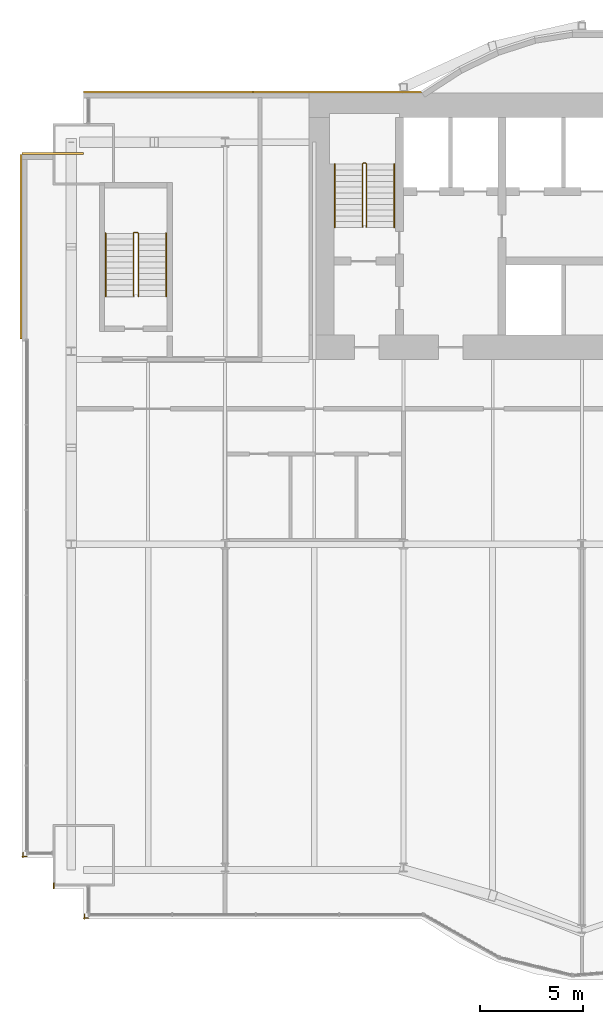
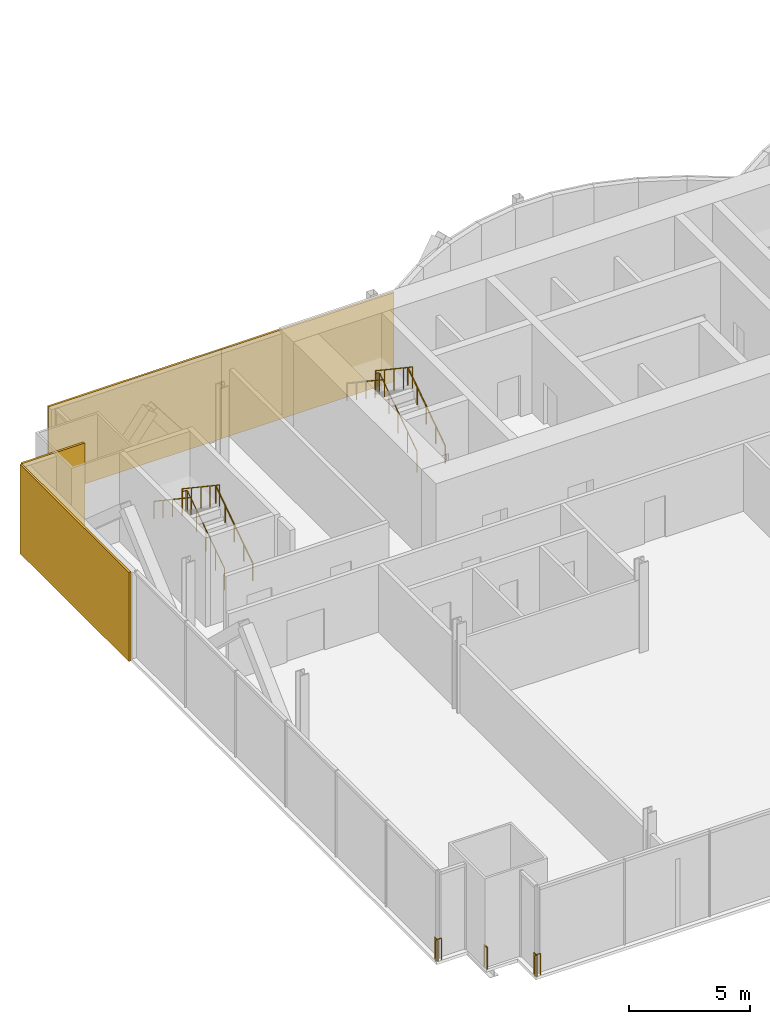
# One storey, part 19 of 21: 9 railings, 4 coverings.
"""IFC4 building model written with IfcOpenShell, lengths in metres."""

from ifc_helpers import new_model, si_unit, direction, frame, origin, origin_2d, place, context, subcontext, project, spatial, rectangle, circle, extrude, material, layer, layer_set, type_object, element, save


model = new_model("IFC4")

# Units and contexts
model_context = context("Model", 3, precision=1e-05, world=origin(), true_north=direction((0.0, 1.0)))
body_context = subcontext(model_context, "Body", "Model", "MODEL_VIEW")
ifc_project = project(units=[si_unit("LENGTHUNIT", "METRE"), si_unit("AREAUNIT", "SQUARE_METRE"), si_unit("VOLUMEUNIT", "CUBIC_METRE"), si_unit("PLANEANGLEUNIT", "RADIAN"), si_unit("MASSUNIT", "GRAM", prefix="KILO")], contexts=[model_context])

# Site, building, storey
site_placement = place(None, origin())
site = spatial("IfcSite", under=ifc_project, at=site_placement, CompositionType="ELEMENT")
building_placement = place(site_placement, origin())
building = spatial("IfcBuilding", under=site, at=building_placement, Name="Bicima Exchange Tower", CompositionType="ELEMENT")
storey_placement = place(building_placement, frame((0.0, 0.0, 66.5)))
storey = spatial("IfcBuildingStorey", under=building, at=storey_placement, Name="L13", CompositionType="ELEMENT", Elevation=66.5)

# Coverings
ifc_material_1 = material(Name="Bronze metal cladding")
ifc_layer_1 = layer(ifc_material_1, 0.004)
ifc_material_2 = material(Name="Ventilated cavity")
ifc_layer_2 = layer(ifc_material_2, 0.06)
ifc_material_3 = material(Name="Galvanised steel rail and mineral wool", Category="steel")
ifc_layer_3 = layer(ifc_material_3, 0.036)
ifc_layer_set = layer_set([ifc_layer_1, ifc_layer_2, ifc_layer_3], Name="Ventilated cavity")
covering_type = type_object("IfcCoveringType", Name="Bronze metal cladding panel 100", PredefinedType="CLADDING", material=ifc_layer_set)
for number, where, z_axis, x_axis, name in (
    (1, (-20.625, 0.050048828125, -0.14990234375), (0.0, 0.0, 1.0), (-1.0, 0.0, 0.0), "Bronze cladding L13 20.1"),
    (2, (-28.875, 0.050048828125, -0.14990234375), (0.0, 0.0, 1.0), (-1.0, 0.0, 0.0), "Bronze cladding L13 20.2"),
):
    element("IfcCovering", number, at=place(storey_placement, frame(where, z_axis=z_axis, x_axis=x_axis)), inside=storey, type_object=covering_type, Name=name, PredefinedType="CLADDING", context=body_context, shape_type="SweptSolid", body=[
        extrude(rectangle(XDim=8.25, YDim=0.10009765625, at=origin_2d()), origin(), (0.0, 0.0, 1.0), 4.5),
    ])
covering_1_placement = place(storey_placement, frame((-34.5, -2.949951171875, -0.14990234375), z_axis=(0.0, 0.0, 1.0), x_axis=(-1.0, 0.0, 0.0)))
element("IfcCovering", 3, at=covering_1_placement, inside=storey, type_object=covering_type, Name="Bronze cladding L13 22.1", PredefinedType="CLADDING", context=body_context, shape_type="SweptSolid", body=[
    extrude(rectangle(XDim=3.0, YDim=0.10009765625, at=origin_2d()), origin(), (0.0, 0.0, 1.0), 4.5),
])
covering_2_placement = place(storey_placement, frame((-36.050048828125, -7.5, -0.14990234375), z_axis=(0.0, 0.0, 1.0), x_axis=(0.0, -1.0, 0.0)))
element("IfcCovering", 4, at=covering_2_placement, inside=storey, type_object=covering_type, Name="Bronze cladding L13 23.1", PredefinedType="CLADDING", context=body_context, shape_type="SweptSolid", body=[
    extrude(rectangle(XDim=9.0, YDim=0.10009765625, at=origin_2d()), origin(), (0.0, 0.0, 1.0), 4.5),
])

# Railings
ifc_material_4 = material(Name="Stainless steel and bonded safety glass", Category="steel")
railing_type_1 = type_object("IfcRailingType", Name="Edge guard 1100", PredefinedType="GUARDRAIL", material=ifc_material_4)
railing_1_placement = place(storey_placement, frame((-35.75, -37.241943359375, 0.0)))
element("IfcRailing", 5, at=railing_1_placement, inside=storey, type_object=railing_type_1, Name="Edge guard L13 57", PredefinedType="GUARDRAIL", context=body_context, shape_type="SweptSolid", body=[
    extrude(circle(Radius=0.02392578125, at=origin_2d()), frame((0.0, 0.0, 1.076171875), z_axis=(-1.0, 0.0, 0.0), x_axis=(0.0, -1.0, 0.0)), (0.0, 0.0, 1.0), 0.25),
    extrude(circle(Radius=0.02392578125, at=origin_2d()), frame((-0.25, 0.0, 1.076171875), z_axis=(0.707106781187, -0.707106781187, 0.0), x_axis=(0.707106781187, 0.707106781187, 0.0)), (0.0, 0.0, 1.0), 0.07080078125),
    extrude(circle(Radius=0.02392578125, at=origin_2d()), frame((-0.199951171875, -0.050048828125, 1.076171875), z_axis=(0.0, 1.0, 0.0), x_axis=(-1.0, 0.0, 0.0)), (0.0, 0.0, 1.0), 0.248046875),
    extrude(circle(Radius=0.02099609375, at=origin_2d()), origin(), (0.0, 0.0, 1.0), 1.052001953125),
    extrude(circle(Radius=0.02099609375, at=origin_2d()), frame((-0.25, 0.0, 0.0)), (0.0, 0.0, 1.0), 1.052001953125),
    extrude(circle(Radius=0.02099609375, at=origin_2d()), frame((-0.199951171875, -0.050048828125, 0.0)), (0.0, 0.0, 1.0), 1.052001953125),
    extrude(circle(Radius=0.02099609375, at=origin_2d()), frame((-0.199951171875, 0.197998046875, 0.0)), (0.0, 0.0, 1.0), 1.052001953125),
])
railing_2_placement = place(storey_placement, frame((-32.75, -40.241943359375, 0.0)))
element("IfcRailing", 6, at=railing_2_placement, inside=storey, type_object=railing_type_1, Name="Edge guard L13 61", PredefinedType="GUARDRAIL", context=body_context, shape_type="SweptSolid", body=[
    extrude(circle(Radius=0.02392578125, at=origin_2d()), frame((0.0, 0.0, 1.076171875), z_axis=(-1.0, 0.0, 0.0), x_axis=(0.0, -1.0, 0.0)), (0.0, 0.0, 1.0), 0.25),
    extrude(circle(Radius=0.02392578125, at=origin_2d()), frame((-0.25, 0.0, 1.076171875), z_axis=(0.707106781187, -0.707106781187, 0.0), x_axis=(0.707106781187, 0.707106781187, 0.0)), (0.0, 0.0, 1.0), 0.07080078125),
    extrude(circle(Radius=0.02392578125, at=origin_2d()), frame((-0.199951171875, -0.050048828125, 1.076171875), z_axis=(0.0, 1.0, 0.0), x_axis=(-1.0, 0.0, 0.0)), (0.0, 0.0, 1.0), 0.25),
    extrude(circle(Radius=0.02099609375, at=origin_2d()), origin(), (0.0, 0.0, 1.0), 1.052001953125),
    extrude(circle(Radius=0.02099609375, at=origin_2d()), frame((-0.25, 0.0, 0.0)), (0.0, 0.0, 1.0), 1.052001953125),
    extrude(circle(Radius=0.02099609375, at=origin_2d()), frame((-0.199951171875, -0.050048828125, 0.0)), (0.0, 0.0, 1.0), 1.052001953125),
    extrude(circle(Radius=0.02099609375, at=origin_2d()), frame((-0.199951171875, 0.199951171875, 0.0)), (0.0, 0.0, 1.0), 1.052001953125),
])
railing_3_placement = place(storey_placement, frame((-34.449951171875, -38.7919921875, 0.0)))
element("IfcRailing", 7, at=railing_3_placement, inside=storey, type_object=railing_type_1, Name="Edge guard L13 62", PredefinedType="GUARDRAIL", context=body_context, shape_type="SweptSolid", body=[
    extrude(circle(Radius=0.02392578125, at=origin_2d()), frame((0.0, 0.0, 1.076171875), z_axis=(0.0, 1.0, 0.0), x_axis=(-1.0, 0.0, 0.0)), (0.0, 0.0, 1.0), 0.25),
    extrude(circle(Radius=0.02099609375, at=origin_2d()), origin(), (0.0, 0.0, 1.0), 1.052001953125),
    extrude(circle(Radius=0.02099609375, at=origin_2d()), frame((0.0, 0.25, 0.0)), (0.0, 0.0, 1.0), 1.052001953125),
])
ifc_material_5 = material(Name="Stainless steel", Category="steel")
railing_type_2 = type_object("IfcRailingType", Name="Stair guard 1100", PredefinedType="GUARDRAIL", material=ifc_material_5)
railing_4_placement = place(storey_placement, frame((-19.199951171875, -6.550048828125, 0.1875)))
element("IfcRailing", 8, at=railing_4_placement, inside=storey, type_object=railing_type_2, Name="L13 ST-W stair guard 1", PredefinedType="GUARDRAIL", context=body_context, shape_type="SweptSolid", body=[
    extrude(circle(Radius=0.02392578125, at=origin_2d()), frame((0.0, 0.0, 1.076171875), z_axis=(0.0, 0.830913701846, 0.55640131208), x_axis=(-1.0, 0.0, 0.0)), (0.0, 0.0, 1.0), 3.706787109375),
    extrude(circle(Radius=0.02392578125, at=origin_2d()), frame((0.0, 3.080078125, 3.138671875), z_axis=(-0.707106781187, 0.707106781187, 0.0), x_axis=(-0.707106781187, -0.707106781187, 0.0)), (0.0, 0.0, 1.0), 0.07080078125),
    extrude(circle(Radius=0.02392578125, at=origin_2d()), frame((-0.050048828125, 3.130126953125, 3.138671875), z_axis=(-1.0, 0.0, 0.0), x_axis=(0.0, -1.0, 0.0)), (0.0, 0.0, 1.0), 0.10009765625),
    extrude(circle(Radius=0.02392578125, at=origin_2d()), frame((-0.150146484375, 3.130126953125, 3.138671875), z_axis=(-0.248583702486, -0.249802250048, 0.935844527007), x_axis=(0.708833529934, -0.705375805398, 0.0)), (0.0, 0.0, 1.0), 0.200439453125),
    extrude(circle(Radius=0.02392578125, at=origin_2d()), frame((-0.199951171875, 3.080078125, 3.326171875), z_axis=(0.0, -0.830913701846, 0.55640131208), x_axis=(1.0, 0.0, 0.0)), (0.0, 0.0, 1.0), 3.706787109375),
    extrude(circle(Radius=0.02099609375, at=origin_2d()), origin(), (0.0, 0.0, 1.0), 1.052001953125),
    extrude(circle(Radius=0.02099609375, at=origin_2d()), frame((0.0, 0.77001953125, 0.515625)), (0.0, 0.0, 1.0), 1.052001953125),
    extrude(circle(Radius=0.02099609375, at=origin_2d()), frame((0.0, 1.5400390625, 1.03125)), (0.0, 0.0, 1.0), 1.052001953125),
    extrude(circle(Radius=0.02099609375, at=origin_2d()), frame((0.0, 2.31005859375, 1.546875)), (0.0, 0.0, 1.0), 1.052001953125),
    extrude(circle(Radius=0.02099609375, at=origin_2d()), frame((0.0, 3.080078125, 2.0625)), (0.0, 0.0, 1.0), 1.052001953125),
    extrude(circle(Radius=0.02099609375, at=origin_2d()), frame((-0.050048828125, 3.130126953125, 2.0625)), (0.0, 0.0, 1.0), 1.052001953125),
    extrude(circle(Radius=0.02099609375, at=origin_2d()), frame((-0.150146484375, 3.130126953125, 2.0625)), (0.0, 0.0, 1.0), 1.052001953125),
    extrude(circle(Radius=0.02099609375, at=origin_2d()), frame((-0.199951171875, 3.080078125, 2.25)), (0.0, 0.0, 1.0), 1.052001953125),
    extrude(circle(Radius=0.02099609375, at=origin_2d()), frame((-0.199951171875, 2.31005859375, 2.765625)), (0.0, 0.0, 1.0), 1.052001953125),
    extrude(circle(Radius=0.02099609375, at=origin_2d()), frame((-0.199951171875, 1.5400390625, 3.28125)), (0.0, 0.0, 1.0), 1.052001953125),
    extrude(circle(Radius=0.02099609375, at=origin_2d()), frame((-0.199951171875, 0.77001953125, 3.796875)), (0.0, 0.0, 1.0), 1.052001953125),
    extrude(circle(Radius=0.02099609375, at=origin_2d()), frame((-0.199951171875, 0.0, 4.3125)), (0.0, 0.0, 1.0), 1.052001953125),
])
railing_5_placement = place(storey_placement, frame((-30.324951171875, -9.925048828125, 0.1875)))
element("IfcRailing", 9, at=railing_5_placement, inside=storey, type_object=railing_type_2, Name="L13 ST-WW stair guard 1", PredefinedType="GUARDRAIL", context=body_context, shape_type="SweptSolid", body=[
    extrude(circle(Radius=0.02392578125, at=origin_2d()), frame((0.0, 0.0, 1.076171875), z_axis=(0.0, 0.830913701846, 0.55640131208), x_axis=(-1.0, 0.0, 0.0)), (0.0, 0.0, 1.0), 3.706787109375),
    extrude(circle(Radius=0.02392578125, at=origin_2d()), frame((0.0, 3.080078125, 3.138671875), z_axis=(-0.707106781187, 0.707106781187, 0.0), x_axis=(-0.707106781187, -0.707106781187, 0.0)), (0.0, 0.0, 1.0), 0.07080078125),
    extrude(circle(Radius=0.02392578125, at=origin_2d()), frame((-0.050048828125, 3.130126953125, 3.138671875), z_axis=(-1.0, 0.0, 0.0), x_axis=(0.0, -1.0, 0.0)), (0.0, 0.0, 1.0), 0.14990234375),
    extrude(circle(Radius=0.02392578125, at=origin_2d()), frame((-0.199951171875, 3.130126953125, 3.138671875), z_axis=(-0.249726431254, -0.249726431254, 0.935560483917), x_axis=(0.707106781187, -0.707106781187, 0.0)), (0.0, 0.0, 1.0), 0.200439453125),
    extrude(circle(Radius=0.02392578125, at=origin_2d()), frame((-0.25, 3.080078125, 3.326171875), z_axis=(0.0, -0.830913701846, 0.55640131208), x_axis=(1.0, 0.0, 0.0)), (0.0, 0.0, 1.0), 3.706787109375),
    extrude(circle(Radius=0.02099609375, at=origin_2d()), origin(), (0.0, 0.0, 1.0), 1.052001953125),
    extrude(circle(Radius=0.02099609375, at=origin_2d()), frame((0.0, 0.77001953125, 0.515625)), (0.0, 0.0, 1.0), 1.052001953125),
    extrude(circle(Radius=0.02099609375, at=origin_2d()), frame((0.0, 1.5400390625, 1.03125)), (0.0, 0.0, 1.0), 1.052001953125),
    extrude(circle(Radius=0.02099609375, at=origin_2d()), frame((0.0, 2.31005859375, 1.546875)), (0.0, 0.0, 1.0), 1.052001953125),
    extrude(circle(Radius=0.02099609375, at=origin_2d()), frame((0.0, 3.080078125, 2.0625)), (0.0, 0.0, 1.0), 1.052001953125),
    extrude(circle(Radius=0.02099609375, at=origin_2d()), frame((-0.050048828125, 3.130126953125, 2.0625)), (0.0, 0.0, 1.0), 1.052001953125),
    extrude(circle(Radius=0.02099609375, at=origin_2d()), frame((-0.199951171875, 3.130126953125, 2.0625)), (0.0, 0.0, 1.0), 1.052001953125),
    extrude(circle(Radius=0.02099609375, at=origin_2d()), frame((-0.25, 3.080078125, 2.25)), (0.0, 0.0, 1.0), 1.052001953125),
    extrude(circle(Radius=0.02099609375, at=origin_2d()), frame((-0.25, 2.31005859375, 2.765625)), (0.0, 0.0, 1.0), 1.052001953125),
    extrude(circle(Radius=0.02099609375, at=origin_2d()), frame((-0.25, 1.5400390625, 3.28125)), (0.0, 0.0, 1.0), 1.052001953125),
    extrude(circle(Radius=0.02099609375, at=origin_2d()), frame((-0.25, 0.77001953125, 3.796875)), (0.0, 0.0, 1.0), 1.052001953125),
    extrude(circle(Radius=0.02099609375, at=origin_2d()), frame((-0.25, 0.0, 4.3125)), (0.0, 0.0, 1.0), 1.052001953125),
])
railing_type_3 = type_object("IfcRailingType", Name="Stair handrail 900", PredefinedType="HANDRAIL", material=ifc_material_5)
railing_6_placement = place(storey_placement, frame((-17.85009765625, -6.550048828125, 0.1875)))
element("IfcRailing", 10, at=railing_6_placement, inside=storey, type_object=railing_type_3, Name="L13 ST-W stair handrail 1", PredefinedType="HANDRAIL", context=body_context, shape_type="SweptSolid", body=[
    extrude(circle(Radius=0.02392578125, at=origin_2d()), frame((0.0, 0.0, 0.8759765625), z_axis=(0.0, 0.830913701846, 0.55640131208), x_axis=(-1.0, 0.0, 0.0)), (0.0, 0.0, 1.0), 3.706787109375),
    extrude(circle(Radius=0.02099609375, at=origin_2d()), origin(), (0.0, 0.0, 1.0), 0.851806640625),
    extrude(circle(Radius=0.02099609375, at=origin_2d()), frame((0.0, 0.77001953125, 0.515625)), (0.0, 0.0, 1.0), 0.851806640625),
    extrude(circle(Radius=0.02099609375, at=origin_2d()), frame((0.0, 1.5400390625, 1.03125)), (0.0, 0.0, 1.0), 0.851806640625),
    extrude(circle(Radius=0.02099609375, at=origin_2d()), frame((0.0, 2.31005859375, 1.546875)), (0.0, 0.0, 1.0), 0.851806640625),
    extrude(circle(Radius=0.02099609375, at=origin_2d()), frame((0.0, 3.080078125, 2.0625)), (0.0, 0.0, 1.0), 0.851806640625),
])
railing_7_placement = place(storey_placement, frame((-20.75, -3.469970703125, 2.47900390625)))
element("IfcRailing", 11, at=railing_7_placement, inside=storey, type_object=railing_type_3, Name="L13 ST-W stair handrail 2", PredefinedType="HANDRAIL", context=body_context, shape_type="SweptSolid", body=[
    extrude(circle(Radius=0.02392578125, at=origin_2d()), frame((0.0, 0.0, 0.8759765625), z_axis=(0.0, -0.830913701846, 0.55640131208), x_axis=(1.0, 0.0, 0.0)), (0.0, 0.0, 1.0), 3.706787109375),
    extrude(circle(Radius=0.02099609375, at=origin_2d()), origin(), (0.0, 0.0, 1.0), 0.851806640625),
    extrude(circle(Radius=0.02099609375, at=origin_2d()), frame((0.0, -0.77001953125, 0.515625)), (0.0, 0.0, 1.0), 0.851806640625),
    extrude(circle(Radius=0.02099609375, at=origin_2d()), frame((0.0, -1.5400390625, 1.03125)), (0.0, 0.0, 1.0), 0.851806640625),
    extrude(circle(Radius=0.02099609375, at=origin_2d()), frame((0.0, -2.31005859375, 1.546875)), (0.0, 0.0, 1.0), 0.851806640625),
    extrude(circle(Radius=0.02099609375, at=origin_2d()), frame((0.0, -3.080078125, 2.0625)), (0.0, 0.0, 1.0), 0.851806640625),
])
railing_8_placement = place(storey_placement, frame((-28.97509765625, -9.925048828125, 0.1875)))
element("IfcRailing", 12, at=railing_8_placement, inside=storey, type_object=railing_type_3, Name="L13 ST-WW stair handrail 1", PredefinedType="HANDRAIL", context=body_context, shape_type="SweptSolid", body=[
    extrude(circle(Radius=0.02392578125, at=origin_2d()), frame((0.0, 0.0, 0.8759765625), z_axis=(0.0, 0.830913701846, 0.55640131208), x_axis=(-1.0, 0.0, 0.0)), (0.0, 0.0, 1.0), 3.706787109375),
    extrude(circle(Radius=0.02099609375, at=origin_2d()), origin(), (0.0, 0.0, 1.0), 0.851806640625),
    extrude(circle(Radius=0.02099609375, at=origin_2d()), frame((0.0, 0.77001953125, 0.515625)), (0.0, 0.0, 1.0), 0.851806640625),
    extrude(circle(Radius=0.02099609375, at=origin_2d()), frame((0.0, 1.5400390625, 1.03125)), (0.0, 0.0, 1.0), 0.851806640625),
    extrude(circle(Radius=0.02099609375, at=origin_2d()), frame((0.0, 2.31005859375, 1.546875)), (0.0, 0.0, 1.0), 0.851806640625),
    extrude(circle(Radius=0.02099609375, at=origin_2d()), frame((0.0, 3.080078125, 2.0625)), (0.0, 0.0, 1.0), 0.851806640625),
])
railing_9_placement = place(storey_placement, frame((-31.925048828125, -6.844970703125, 2.47900390625)))
element("IfcRailing", 13, at=railing_9_placement, inside=storey, type_object=railing_type_3, Name="L13 ST-WW stair handrail 2", PredefinedType="HANDRAIL", context=body_context, shape_type="SweptSolid", body=[
    extrude(circle(Radius=0.02392578125, at=origin_2d()), frame((0.0, 0.0, 0.8759765625), z_axis=(0.0, -0.830913701846, 0.55640131208), x_axis=(1.0, 0.0, 0.0)), (0.0, 0.0, 1.0), 3.706787109375),
    extrude(circle(Radius=0.02099609375, at=origin_2d()), origin(), (0.0, 0.0, 1.0), 0.851806640625),
    extrude(circle(Radius=0.02099609375, at=origin_2d()), frame((0.0, -0.77001953125, 0.515625)), (0.0, 0.0, 1.0), 0.851806640625),
    extrude(circle(Radius=0.02099609375, at=origin_2d()), frame((0.0, -1.5400390625, 1.03125)), (0.0, 0.0, 1.0), 0.851806640625),
    extrude(circle(Radius=0.02099609375, at=origin_2d()), frame((0.0, -2.31005859375, 1.546875)), (0.0, 0.0, 1.0), 0.851806640625),
    extrude(circle(Radius=0.02099609375, at=origin_2d()), frame((0.0, -3.080078125, 2.0625)), (0.0, 0.0, 1.0), 0.851806640625),
])

save(model, "model.ifc")
